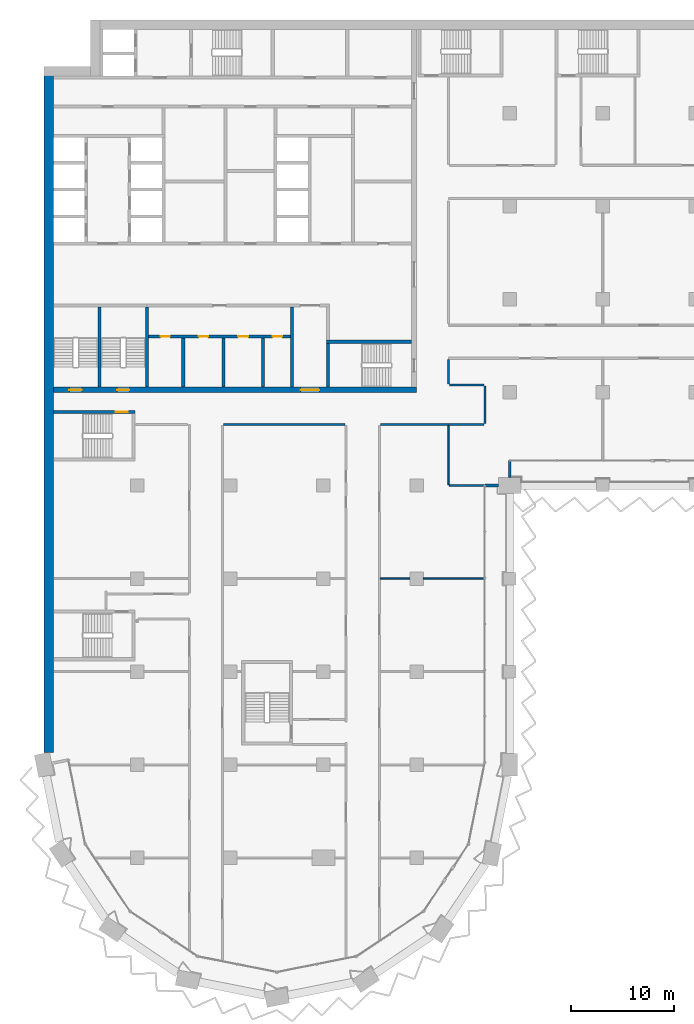
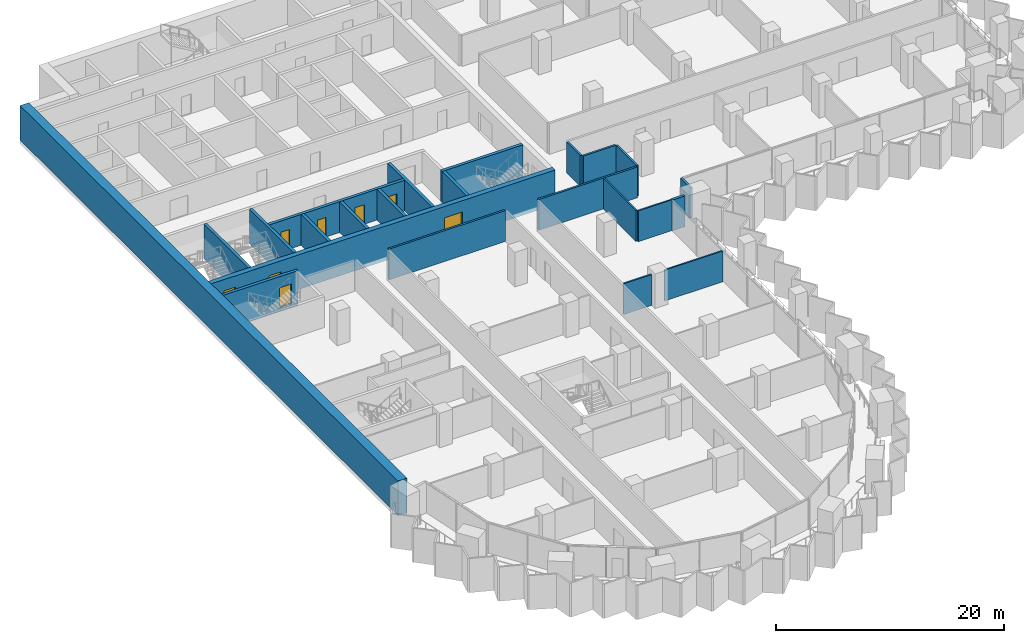
# One storey, part 11 of 22: 23 walls, 8 doors, 8 openings.
"""IFC4 building model written with IfcOpenShell, lengths in metres."""

from ifc_helpers import new_model, si_unit, direction, frame, frame_2d, origin, place, context, subcontext, project, spatial, rectangle, extrude, material, layer, layer_set, type_object, element, fill, save


model = new_model("IFC4")

# Units and contexts
model_context = context("Model", 3, precision=1e-05, world=origin(), true_north=direction((0.0, 1.0)))
body_context = subcontext(model_context, "Body", "Model", "MODEL_VIEW")
ifc_project = project(units=[si_unit("LENGTHUNIT", "METRE"), si_unit("AREAUNIT", "SQUARE_METRE"), si_unit("VOLUMEUNIT", "CUBIC_METRE"), si_unit("PLANEANGLEUNIT", "RADIAN"), si_unit("MASSUNIT", "GRAM", prefix="KILO")], contexts=[model_context])

# Site, building, storey
site_placement = place(None, origin())
site = spatial("IfcSite", under=ifc_project, at=site_placement, CompositionType="ELEMENT")
building_placement = place(site_placement, origin())
building = spatial("IfcBuilding", under=site, at=building_placement, Name="Hunhe Ridgeline Campus", CompositionType="ELEMENT")
storey_placement = place(building_placement, frame((0.0, 0.0, 118.10009765625)))
storey = spatial("IfcBuildingStorey", under=building, at=storey_placement, Name="L29", CompositionType="ELEMENT", Elevation=118.10009765625)

# Wall, openings, doors
ifc_material_1 = material(Name="Masonry concrete blockwork", Category="masonry")
ifc_layer_1 = layer(ifc_material_1, 0.300048828125)
ifc_layer_set_1 = layer_set([ifc_layer_1], Name="Core room partition 300 concrete block")
wall_type_1 = type_object("IfcWallType", Name="Core room partition 300 concrete block", PredefinedType="PARTITIONING", material=ifc_layer_set_1)
wall_1_placement = place(storey_placement, frame((10.10009765625, 68.39990234375, 0.0), z_axis=(0.0, 0.0, 1.0), x_axis=(1.0, 0.0, 0.0)))
wall_1 = element("IfcWall", 1, at=wall_1_placement, inside=storey, type_object=wall_type_1, Name="L29 core partition 9", PredefinedType="PARTITIONING", context=body_context, shape_type="SweptSolid", body=[
    extrude(rectangle(XDim=13.699951171875, YDim=0.300048828125, at=frame_2d((6.85009765625, 0.0))), origin(), (0.0, 0.0, 1.0), 3.2998046875),
])
opening_1_placement = place(wall_1_placement, frame((1.14990234375, 0.0, 0.0)))
opening_1 = element("IfcOpeningElement", 2, at=opening_1_placement, cuts=wall_1, Name="Opening CD8", PredefinedType="OPENING", context=body_context, shape_type="SweptSolid", body=[
    extrude(rectangle(XDim=0.89990234375, YDim=2.10009765625, at=frame_2d((0.449951171875, 1.050048828125))), frame((0.0, 0.14990234375, 0.0), z_axis=(0.0, -1.0, 0.0), x_axis=(1.0, 0.0, 0.0)), (0.0, 0.0, 1.0), 0.300048828125),
])
opening_2_placement = place(wall_1_placement, frame((4.85009765625, 0.0, 0.0)))
opening_2 = element("IfcOpeningElement", 3, at=opening_2_placement, cuts=wall_1, Name="Opening CD9", PredefinedType="OPENING", context=body_context, shape_type="SweptSolid", body=[
    extrude(rectangle(XDim=0.89990234375, YDim=2.10009765625, at=frame_2d((0.449951171875, 1.050048828125))), frame((0.0, 0.14990234375, 0.0), z_axis=(0.0, -1.0, 0.0), x_axis=(1.0, 0.0, 0.0)), (0.0, 0.0, 1.0), 0.300048828125),
])
opening_3_placement = place(wall_1_placement, frame((8.64990234375, 0.0, 0.0)))
opening_3 = element("IfcOpeningElement", 4, at=opening_3_placement, cuts=wall_1, Name="Opening CD10", PredefinedType="OPENING", context=body_context, shape_type="SweptSolid", body=[
    extrude(rectangle(XDim=1.0, YDim=2.10009765625, at=frame_2d((0.5, 1.050048828125))), frame((0.0, 0.14990234375, 0.0), z_axis=(0.0, -1.0, 0.0), x_axis=(1.0, 0.0, 0.0)), (0.0, 0.0, 1.0), 0.300048828125),
])
opening_4_placement = place(wall_1_placement, frame((12.0, 0.0, 0.0)))
opening_4 = element("IfcOpeningElement", 5, at=opening_4_placement, cuts=wall_1, Name="Opening CD11", PredefinedType="OPENING", context=body_context, shape_type="SweptSolid", body=[
    extrude(rectangle(XDim=0.89990234375, YDim=2.10009765625, at=frame_2d((0.449951171875, 1.050048828125))), frame((0.0, 0.14990234375, 0.0), z_axis=(0.0, -1.0, 0.0), x_axis=(1.0, 0.0, 0.0)), (0.0, 0.0, 1.0), 0.300048828125),
])
ifc_material_2 = material(Name="Solid core timber door leaf", Category="wood")
door_type_1 = type_object("IfcDoorType", Name="Timber door 1000x2100", OperationType="SINGLE_SWING_LEFT", PredefinedType="DOOR", material=ifc_material_2)
door_1_placement = place(opening_3_placement, frame((1.0, 0.0, 0.0), z_axis=(0.0, 0.0, 1.0), x_axis=(-1.0, 0.0, 0.0)))
door_1 = element("IfcDoor", 6, at=door_1_placement, inside=storey, type_object=door_type_1, Name="L29 door WC3", OperationType="SINGLE_SWING_RIGHT", OverallHeight=2.10009765625, OverallWidth=1.0, PredefinedType="DOOR", context=body_context, shape_type="SweptSolid", body=[
    extrude(rectangle(XDim=1.0, YDim=2.10009765625, at=frame_2d((0.5, 1.050048828125))), frame((0.0, 0.02490234375, 0.0), z_axis=(0.0, -1.0, 0.0), x_axis=(1.0, 0.0, 0.0)), (0.0, 0.0, 1.0), 0.050048828125),
])
fill(opening_3, door_1)
door_type_2 = type_object("IfcDoorType", Name="Timber door 900x2100", OperationType="SINGLE_SWING_LEFT", PredefinedType="DOOR", material=ifc_material_2)
door_2_placement = place(opening_1_placement, frame((0.89990234375, 0.0, 0.0), z_axis=(0.0, 0.0, 1.0), x_axis=(-1.0, 0.0, 0.0)))
door_2 = element("IfcDoor", 7, at=door_2_placement, inside=storey, type_object=door_type_2, Name="L29 door WC1", OperationType="SINGLE_SWING_RIGHT", OverallHeight=2.10009765625, OverallWidth=0.89990234375, PredefinedType="DOOR", context=body_context, shape_type="SweptSolid", body=[
    extrude(rectangle(XDim=0.89990234375, YDim=2.10009765625, at=frame_2d((0.449951171875, 1.050048828125))), frame((0.0, 0.02490234375, 0.0), z_axis=(0.0, -1.0, 0.0), x_axis=(1.0, 0.0, 0.0)), (0.0, 0.0, 1.0), 0.050048828125),
])
fill(opening_1, door_2)
door_3_placement = place(opening_2_placement, frame((0.89990234375, 0.0, 0.0), z_axis=(0.0, 0.0, 1.0), x_axis=(-1.0, 0.0, 0.0)))
door_3 = element("IfcDoor", 8, at=door_3_placement, inside=storey, type_object=door_type_2, Name="L29 door WC2", OperationType="SINGLE_SWING_LEFT", OverallHeight=2.10009765625, OverallWidth=0.89990234375, PredefinedType="DOOR", context=body_context, shape_type="SweptSolid", body=[
    extrude(rectangle(XDim=0.89990234375, YDim=2.10009765625, at=frame_2d((0.449951171875, 1.050048828125))), frame((0.0, 0.02490234375, 0.0), z_axis=(0.0, -1.0, 0.0), x_axis=(1.0, 0.0, 0.0)), (0.0, 0.0, 1.0), 0.050048828125),
])
fill(opening_2, door_3)
door_4_placement = place(opening_4_placement, frame((0.89990234375, 0.0, 0.0), z_axis=(0.0, 0.0, 1.0), x_axis=(-1.0, 0.0, 0.0)))
door_4 = element("IfcDoor", 9, at=door_4_placement, inside=storey, type_object=door_type_2, Name="L29 door WC4", OperationType="SINGLE_SWING_LEFT", OverallHeight=2.10009765625, OverallWidth=0.89990234375, PredefinedType="DOOR", context=body_context, shape_type="SweptSolid", body=[
    extrude(rectangle(XDim=0.89990234375, YDim=2.10009765625, at=frame_2d((0.449951171875, 1.050048828125))), frame((0.0, 0.02490234375, 0.0), z_axis=(0.0, -1.0, 0.0), x_axis=(1.0, 0.0, 0.0)), (0.0, 0.0, 1.0), 0.050048828125),
])
fill(opening_4, door_4)

# Walls
for number, where, z_axis, x_axis, name in (
    (10, (13.449951171875, 63.5, 0.0), (0.0, 0.0, 1.0), (0.0, 1.0, 0.0), "L29 core partition 44"),
    (11, (17.35009765625, 63.5, 0.0), (0.0, 0.0, 1.0), (0.0, 1.0, 0.0), "L29 core partition 46"),
    (12, (21.14990234375, 63.5, 0.0), (0.0, 0.0, 1.0), (0.0, 1.0, 0.0), "L29 core partition 49"),
):
    element("IfcWall", number, at=place(storey_placement, frame(where, z_axis=z_axis, x_axis=x_axis)), inside=storey, type_object=wall_type_1, Name=name, PredefinedType="PARTITIONING", context=body_context, shape_type="SweptSolid", body=[
        extrude(rectangle(XDim=4.75, YDim=0.300048828125, at=frame_2d((2.375, 0.0))), origin(), (0.0, 0.0, 1.0), 3.2998046875),
    ])
wall_2_placement = place(storey_placement, frame((23.949951171875, 63.5, 0.0), z_axis=(0.0, 0.0, 1.0), x_axis=(0.0, 1.0, 0.0)))
element("IfcWall", 13, at=wall_2_placement, inside=storey, type_object=wall_type_1, Name="L29 core partition 54", PredefinedType="PARTITIONING", context=body_context, shape_type="SweptSolid", body=[
    extrude(rectangle(XDim=7.75, YDim=0.300048828125, at=frame_2d((3.875, 0.0))), origin(), (0.0, 0.0, 1.0), 3.2998046875),
])

# Wall, openings, doors
ifc_material_3 = material(Name="Concrete C80", Category="concrete")
ifc_layer_2 = layer(ifc_material_3, 0.5)
ifc_layer_set_2 = layer_set([ifc_layer_2], Name="Core wall 500 reinforced concrete C80")
wall_type_2 = type_object("IfcWallType", Name="Core wall 500 reinforced concrete C80", PredefinedType="SOLIDWALL", material=ifc_layer_set_2)
wall_3_placement = place(storey_placement, frame((0.89990234375, 63.25, -0.400146484375), z_axis=(0.0, 0.0, 1.0), x_axis=(1.0, 0.0, 0.0)))
wall_3 = element("IfcWall", 14, at=wall_3_placement, inside=storey, type_object=wall_type_2, Name="L29 core wall 7", PredefinedType="SOLIDWALL", context=body_context, shape_type="SweptSolid", body=[
    extrude(rectangle(XDim=35.10009765625, YDim=0.5, at=frame_2d((17.550048828125, 0.0))), origin(), (0.0, 0.0, 1.0), 3.699951171875),
])
opening_5_placement = place(wall_3_placement, frame((23.89990234375, 0.0, 0.39990234375)))
opening_5 = element("IfcOpeningElement", 15, at=opening_5_placement, cuts=wall_3, Name="Opening CD6", PredefinedType="OPENING", context=body_context, shape_type="SweptSolid", body=[
    extrude(rectangle(XDim=1.800048828125, YDim=2.10009765625, at=frame_2d((0.89990234375, 1.050048828125))), frame((0.0, 0.25, 0.0), z_axis=(0.0, -1.0, 0.0), x_axis=(1.0, 0.0, 0.0)), (0.0, 0.0, 1.0), 0.5),
])
opening_6_placement = place(wall_3_placement, frame((1.550048828125, 0.0, 0.39990234375)))
opening_6 = element("IfcOpeningElement", 16, at=opening_6_placement, cuts=wall_3, Name="Opening CD13", PredefinedType="OPENING", context=body_context, shape_type="SweptSolid", body=[
    extrude(rectangle(XDim=1.199951171875, YDim=2.10009765625, at=frame_2d((0.60009765625, 1.050048828125))), frame((0.0, 0.25, 0.0), z_axis=(0.0, -1.0, 0.0), x_axis=(1.0, 0.0, 0.0)), (0.0, 0.0, 1.0), 0.5),
])
opening_7_placement = place(wall_3_placement, frame((6.14990234375, 0.0, 0.39990234375)))
opening_7 = element("IfcOpeningElement", 17, at=opening_7_placement, cuts=wall_3, Name="Opening CD14", PredefinedType="OPENING", context=body_context, shape_type="SweptSolid", body=[
    extrude(rectangle(XDim=1.199951171875, YDim=2.10009765625, at=frame_2d((0.60009765625, 1.050048828125))), frame((0.0, 0.25, 0.0), z_axis=(0.0, -1.0, 0.0), x_axis=(1.0, 0.0, 0.0)), (0.0, 0.0, 1.0), 0.5),
])
ifc_material_4 = material(Name="Anodised aluminium and glass", Category="aluminium")
door_type_3 = type_object("IfcDoorType", Name="Glazed double door 1800x2100", OperationType="DOUBLE_DOOR_SINGLE_SWING", PredefinedType="DOOR", material=ifc_material_4)
door_5_placement = place(opening_5_placement, frame((1.800048828125, 0.0, 0.0), z_axis=(0.0, 0.0, 1.0), x_axis=(-1.0, 0.0, 0.0)))
door_5 = element("IfcDoor", 18, at=door_5_placement, inside=storey, type_object=door_type_3, Name="L29 door VEST-FLOOR", OperationType="DOUBLE_DOOR_SINGLE_SWING", OverallHeight=2.10009765625, OverallWidth=1.800048828125, PredefinedType="DOOR", context=body_context, shape_type="SweptSolid", body=[
    extrude(rectangle(XDim=1.800048828125, YDim=2.10009765625, at=frame_2d((0.89990234375, 1.050048828125))), frame((0.0, 0.02490234375, 0.0), z_axis=(0.0, -1.0, 0.0), x_axis=(1.0, 0.0, 0.0)), (0.0, 0.0, 1.0), 0.050048828125),
])
fill(opening_5, door_5)
ifc_material_5 = material(Name="Hollow metal fire door leaf")
door_type_4 = type_object("IfcDoorType", Name="Stair door 1200x2100 FD60", OperationType="SINGLE_SWING_LEFT", PredefinedType="DOOR", material=ifc_material_5)
door_6_placement = place(opening_6_placement, frame((1.199951171875, 0.0, 0.0), z_axis=(0.0, 0.0, 1.0), x_axis=(-1.0, 0.0, 0.0)))
door_6 = element("IfcDoor", 19, at=door_6_placement, inside=storey, type_object=door_type_4, Name="L29 door S3", OperationType="SINGLE_SWING_RIGHT", OverallHeight=2.10009765625, OverallWidth=1.199951171875, PredefinedType="DOOR", context=body_context, shape_type="SweptSolid", body=[
    extrude(rectangle(XDim=1.199951171875, YDim=2.10009765625, at=frame_2d((0.60009765625, 1.050048828125))), frame((0.0, 0.02490234375, 0.0), z_axis=(0.0, -1.0, 0.0), x_axis=(1.0, 0.0, 0.0)), (0.0, 0.0, 1.0), 0.050048828125),
])
fill(opening_6, door_6)
door_7_placement = place(opening_7_placement, frame((1.199951171875, 0.0, 0.0), z_axis=(0.0, 0.0, 1.0), x_axis=(-1.0, 0.0, 0.0)))
door_7 = element("IfcDoor", 20, at=door_7_placement, inside=storey, type_object=door_type_4, Name="L29 door S4", OperationType="SINGLE_SWING_LEFT", OverallHeight=2.10009765625, OverallWidth=1.199951171875, PredefinedType="DOOR", context=body_context, shape_type="SweptSolid", body=[
    extrude(rectangle(XDim=1.199951171875, YDim=2.10009765625, at=frame_2d((0.60009765625, 1.050048828125))), frame((0.0, 0.02490234375, 0.0), z_axis=(0.0, -1.0, 0.0), x_axis=(1.0, 0.0, 0.0)), (0.0, 0.0, 1.0), 0.050048828125),
])
fill(opening_7, door_7)

# Walls
ifc_material_6 = material(Name="Concrete C30", Category="concrete")
ifc_layer_3 = layer(ifc_material_6, 0.25)
ifc_layer_set_3 = layer_set([ifc_layer_3], Name="Corner return wall 250 Concrete C30")
wall_type_3 = type_object("IfcWallType", Name="Corner return wall 250 Concrete C30", PredefinedType="SOLIDWALL", material=ifc_layer_set_3)
wall_4_placement = place(storey_placement, frame((42.599365234375, 54.000732421875, 0.0), z_axis=(0.0, 0.0, 1.0), x_axis=(0.99999998238, 0.000187722918, 0.0)))
element("IfcWall", 21, at=wall_4_placement, inside=storey, type_object=wall_type_3, Name="Corner return wall 2", PredefinedType="SOLIDWALL", context=body_context, shape_type="SweptSolid", body=[
    extrude(rectangle(XDim=1.300537109375, YDim=0.25, at=frame_2d((0.650390625, 0.0))), origin(), (0.0, 0.0, 1.0), 3.2998046875),
])
wall_5_placement = place(storey_placement, frame((44.999267578125, 54.75, 0.0), z_axis=(0.0, 0.0, 1.0), x_axis=(0.000443655679, 0.999999901585, 0.0)))
element("IfcWall", 22, at=wall_5_placement, inside=storey, type_object=wall_type_3, Name="Corner return wall 3", PredefinedType="SOLIDWALL", context=body_context, shape_type="SweptSolid", body=[
    extrude(rectangle(XDim=1.65087890625, YDim=0.25, at=frame_2d((0.825439453125, 0.0))), origin(), (0.0, 0.0, 1.0), 3.2998046875),
])
ifc_material_7 = material(Name="Gypsum board partition")
ifc_layer_4 = layer(ifc_material_7, 0.199951171875)
ifc_layer_set_4 = layer_set([ifc_layer_4], Name="Corridor partition 200 gypsum board on steel studs")
wall_type_4 = type_object("IfcWallType", Name="Corridor partition 200 gypsum board on steel studs", PredefinedType="PARTITIONING", material=ifc_layer_set_4)
wall_6_placement = place(storey_placement, frame((29.10009765625, 59.89990234375, 0.0), z_axis=(0.0, 0.0, 1.0), x_axis=(-1.0, 0.0, 0.0)))
element("IfcWall", 23, at=wall_6_placement, inside=storey, type_object=wall_type_4, Name="F-L29-wall-032", PredefinedType="PARTITIONING", context=body_context, shape_type="SweptSolid", body=[
    extrude(rectangle(XDim=11.75, YDim=0.199951171875, at=frame_2d((5.875, 0.0))), origin(), (0.0, 0.0, 1.0), 3.2998046875),
])
wall_7_placement = place(storey_placement, frame((42.5, 59.89990234375, 0.0), z_axis=(0.0, 0.0, 1.0), x_axis=(-1.0, 0.0, 0.0)))
element("IfcWall", 24, at=wall_7_placement, inside=storey, type_object=wall_type_4, Name="F-L29-wall-033", PredefinedType="PARTITIONING", context=body_context, shape_type="SweptSolid", body=[
    extrude(rectangle(XDim=10.0, YDim=0.199951171875, at=frame_2d((5.0, 0.0))), origin(), (0.0, 0.0, 1.0), 3.2998046875),
])
wall_8_placement = place(storey_placement, frame((39.199951171875, 63.699951171875, 0.0), z_axis=(0.0, 0.0, 1.0), x_axis=(1.0, 0.0, 0.0)))
element("IfcWall", 25, at=wall_8_placement, inside=storey, type_object=wall_type_4, Name="F-L29-wall-034", PredefinedType="PARTITIONING", context=body_context, shape_type="SweptSolid", body=[
    extrude(rectangle(XDim=3.300048828125, YDim=0.199951171875, at=frame_2d((1.64990234375, 0.0))), origin(), (0.0, 0.0, 1.0), 3.2998046875),
])
wall_9_placement = place(storey_placement, frame((39.10009765625, 66.174560546875, 0.0), z_axis=(0.0, 0.0, 1.0), x_axis=(0.0, -1.0, 0.0)))
element("IfcWall", 26, at=wall_9_placement, inside=storey, type_object=wall_type_4, Name="F-L29-wall-050", PredefinedType="PARTITIONING", context=body_context, shape_type="SweptSolid", body=[
    extrude(rectangle(XDim=2.37451171875, YDim=0.199951171875, at=frame_2d((1.187255859375, 0.0))), origin(), (0.0, 0.0, 1.0), 3.2998046875),
])
wall_10_placement = place(storey_placement, frame((42.60009765625, 63.60009765625, 0.0), z_axis=(0.0, 0.0, 1.0), x_axis=(0.0, -1.0, 0.0)))
element("IfcWall", 27, at=wall_10_placement, inside=storey, type_object=wall_type_4, Name="F-L29-wall-053", PredefinedType="PARTITIONING", context=body_context, shape_type="SweptSolid", body=[
    extrude(rectangle(XDim=3.60009765625, YDim=0.199951171875, at=frame_2d((1.800048828125, 0.0))), origin(), (0.0, 0.0, 1.0), 3.2998046875),
])
ifc_layer_5 = layer(ifc_material_7, 0.14990234375)
ifc_layer_set_5 = layer_set([ifc_layer_5], Name="Room partition 150 gypsum board on steel studs")
wall_type_5 = type_object("IfcWallType", Name="Room partition 150 gypsum board on steel studs", PredefinedType="PARTITIONING", material=ifc_layer_set_5)
wall_11_placement = place(storey_placement, frame((32.5, 45.0, 0.0), z_axis=(0.0, 0.0, 1.0), x_axis=(1.0, 0.0, 0.0)))
element("IfcWall", 28, at=wall_11_placement, inside=storey, type_object=wall_type_5, Name="F-L29-wall-028", PredefinedType="PARTITIONING", context=body_context, shape_type="SweptSolid", body=[
    extrude(rectangle(XDim=2.85009765625, YDim=0.14990234375, at=frame_2d((1.425048828125, 0.0))), origin(), (0.0, 0.0, 1.0), 3.2998046875),
])
wall_12_placement = place(storey_placement, frame((36.64990234375, 45.0, 0.0), z_axis=(0.0, 0.0, 1.0), x_axis=(1.0, 0.0, 0.0)))
element("IfcWall", 29, at=wall_12_placement, inside=storey, type_object=wall_type_5, Name="F-L29-wall-029", PredefinedType="PARTITIONING", context=body_context, shape_type="SweptSolid", body=[
    extrude(rectangle(XDim=5.895263671875, YDim=0.14990234375, at=frame_2d((2.94775390625, 0.0))), origin(), (0.0, 0.0, 1.0), 3.2998046875),
])
wall_13_placement = place(storey_placement, frame((39.175048828125, 54.0, 0.0), z_axis=(0.0, 0.0, 1.0), x_axis=(1.0, 0.0, 0.0)))
element("IfcWall", 30, at=wall_13_placement, inside=storey, type_object=wall_type_5, Name="F-L29-wall-030", PredefinedType="PARTITIONING", context=body_context, shape_type="SweptSolid", body=[
    extrude(rectangle(XDim=3.370361328125, YDim=0.14990234375, at=frame_2d((1.68505859375, 0.0))), origin(), (0.0, 0.0, 1.0), 3.2998046875),
])
wall_14_placement = place(storey_placement, frame((39.10009765625, 59.800048828125, 0.0), z_axis=(0.0, 0.0, 1.0), x_axis=(0.0, -1.0, 0.0)))
element("IfcWall", 31, at=wall_14_placement, inside=storey, type_object=wall_type_5, Name="F-L29-wall-049", PredefinedType="PARTITIONING", context=body_context, shape_type="SweptSolid", body=[
    extrude(rectangle(XDim=5.72509765625, YDim=0.14990234375, at=frame_2d((2.862548828125, 0.0))), origin(), (0.0, 0.0, 1.0), 3.2998046875),
])
ifc_material_8 = material(Name="Concrete C70", Category="concrete")
ifc_layer_6 = layer(ifc_material_8, 0.89990234375)
ifc_layer_set_6 = layer_set([ifc_layer_6], Name="Spine wall 900 Concrete C70")
wall_type_6 = type_object("IfcWallType", Name="Spine wall 900 Concrete C70", PredefinedType="SHEAR", material=ifc_layer_set_6)
wall_15_placement = place(storey_placement, frame((0.449951171875, 94.5, 0.0), z_axis=(0.0, 0.0, 1.0), x_axis=(0.0, -1.0, 0.0)))
element("IfcWall", 32, at=wall_15_placement, inside=storey, type_object=wall_type_6, Name="Spine wall SW2-1 L29", PredefinedType="SHEAR", context=body_context, shape_type="SweptSolid", body=[
    extrude(rectangle(XDim=66.288818359375, YDim=0.89990234375, at=frame_2d((33.14453125, 0.0))), origin(), (0.0, 0.0, 1.0), 3.699951171875),
])

# Wall, opening, door
ifc_layer_7 = layer(ifc_material_3, 0.300048828125)
ifc_layer_set_7 = layer_set([ifc_layer_7], Name="Stair wall 300 reinforced concrete C80")
wall_type_7 = type_object("IfcWallType", Name="Stair wall 300 reinforced concrete C80", PredefinedType="SOLIDWALL", material=ifc_layer_set_7)
wall_16_placement = place(storey_placement, frame((0.89990234375, 61.10009765625, -0.400146484375), z_axis=(0.0, 0.0, 1.0), x_axis=(1.0, 0.0, 0.0)))
wall_16 = element("IfcWall", 33, at=wall_16_placement, inside=storey, type_object=wall_type_7, Name="L29 core wall 6", PredefinedType="SOLIDWALL", context=body_context, shape_type="SweptSolid", body=[
    extrude(rectangle(XDim=7.900146484375, YDim=0.300048828125, at=frame_2d((3.9501953125, 0.0))), origin(), (0.0, 0.0, 1.0), 3.699951171875),
])
opening_8_placement = place(wall_16_placement, frame((6.0, 0.0, 0.39990234375)))
opening_8 = element("IfcOpeningElement", 34, at=opening_8_placement, cuts=wall_16, Name="Opening CD22", PredefinedType="OPENING", context=body_context, shape_type="SweptSolid", body=[
    extrude(rectangle(XDim=1.199951171875, YDim=2.10009765625, at=frame_2d((0.60009765625, 1.050048828125))), frame((0.0, 0.14990234375, 0.0), z_axis=(0.0, -1.0, 0.0), x_axis=(1.0, 0.0, 0.0)), (0.0, 0.0, 1.0), 0.300048828125),
])
door_8_placement = place(opening_8_placement, origin())
door_8 = element("IfcDoor", 35, at=door_8_placement, inside=storey, type_object=door_type_4, Name="L29 door W2", OperationType="SINGLE_SWING_LEFT", OverallHeight=2.10009765625, OverallWidth=1.199951171875, PredefinedType="DOOR", context=body_context, shape_type="SweptSolid", body=[
    extrude(rectangle(XDim=1.199951171875, YDim=2.10009765625, at=frame_2d((0.60009765625, 1.050048828125))), frame((0.0, 0.02490234375, 0.0), z_axis=(0.0, -1.0, 0.0), x_axis=(1.0, 0.0, 0.0)), (0.0, 0.0, 1.0), 0.050048828125),
])
fill(opening_8, door_8)

# Walls
wall_17_placement = place(storey_placement, frame((27.300048828125, 67.89990234375, -0.400146484375), z_axis=(0.0, 0.0, 1.0), x_axis=(1.0, 0.0, 0.0)))
element("IfcWall", 36, at=wall_17_placement, inside=storey, type_object=wall_type_7, Name="L29 core wall 8", PredefinedType="SOLIDWALL", context=body_context, shape_type="SweptSolid", body=[
    extrude(rectangle(XDim=8.199951171875, YDim=0.300048828125, at=frame_2d((4.10009765625, 0.0))), origin(), (0.0, 0.0, 1.0), 3.699951171875),
])
for number, where, z_axis, x_axis, name in (
    (37, (5.35009765625, 63.5, -0.400146484375), (0.0, 0.0, 1.0), (0.0, 1.0, 0.0), "L29 core wall 35"),
    (38, (9.949951171875, 63.5, -0.400146484375), (0.0, 0.0, 1.0), (0.0, 1.0, 0.0), "L29 core wall 41"),
):
    element("IfcWall", number, at=place(storey_placement, frame(where, z_axis=z_axis, x_axis=x_axis)), inside=storey, type_object=wall_type_7, Name=name, PredefinedType="SOLIDWALL", context=body_context, shape_type="SweptSolid", body=[
        extrude(rectangle(XDim=7.75, YDim=0.300048828125, at=frame_2d((3.875, 0.0))), origin(), (0.0, 0.0, 1.0), 3.699951171875),
    ])
wall_18_placement = place(storey_placement, frame((27.449951171875, 63.5, -0.400146484375), z_axis=(0.0, 0.0, 1.0), x_axis=(0.0, 1.0, 0.0)))
element("IfcWall", 39, at=wall_18_placement, inside=storey, type_object=wall_type_7, Name="L29 core wall 56", PredefinedType="SOLIDWALL", context=body_context, shape_type="SweptSolid", body=[
    extrude(rectangle(XDim=4.25, YDim=0.300048828125, at=frame_2d((2.125, 0.0))), origin(), (0.0, 0.0, 1.0), 3.699951171875),
])

save(model, "model.ifc")
